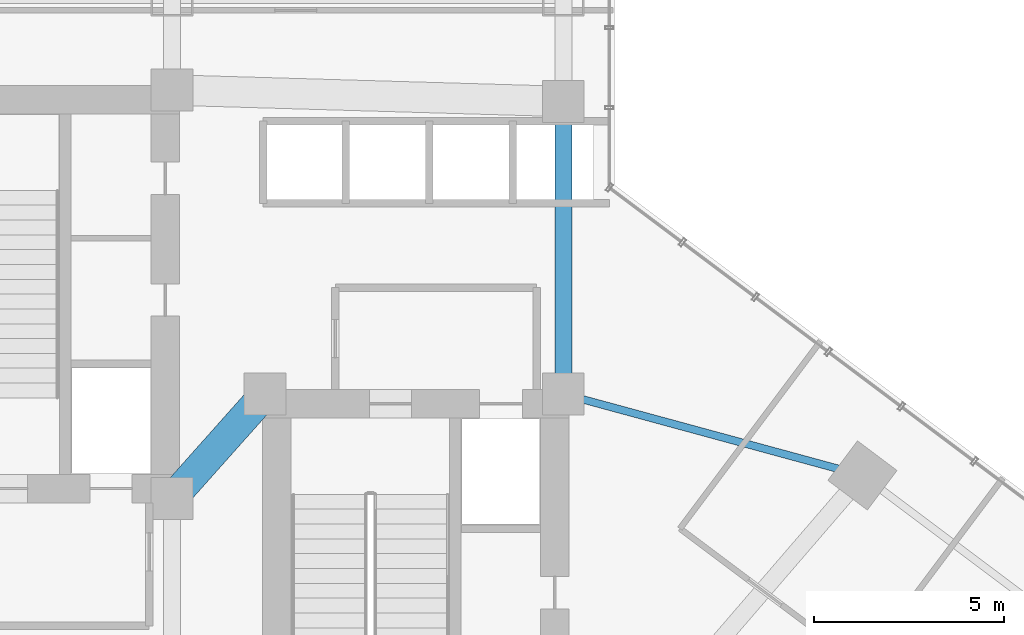
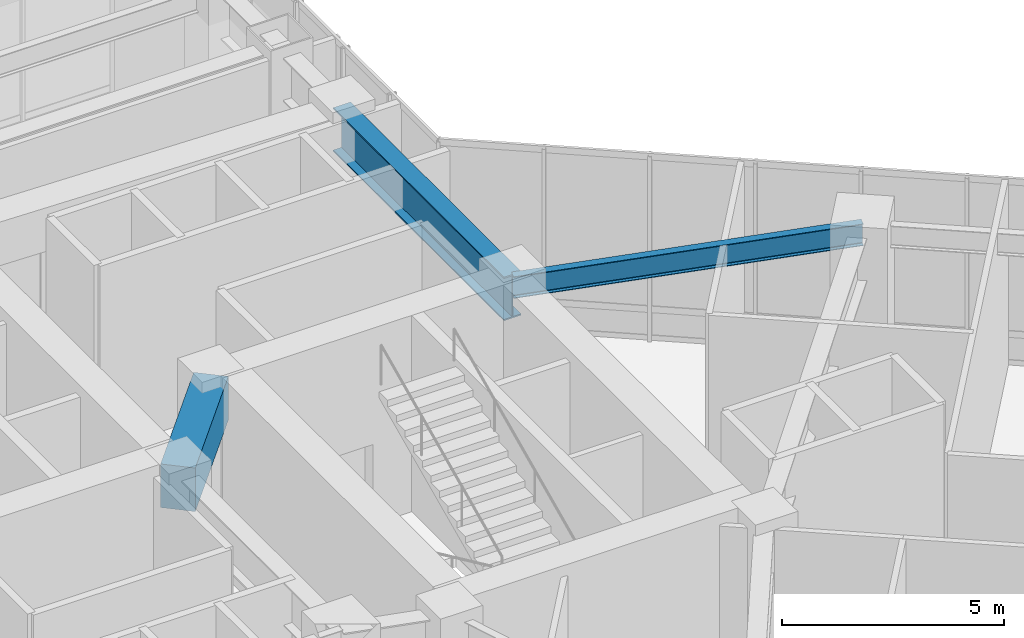
# One storey, part 19 of 35: 3 beams.
"""IFC4 building model written with IfcOpenShell, lengths in metres."""

from ifc_helpers import new_model, si_unit, direction, frame, origin, origin_2d, place, context, subcontext, project, spatial, rectangle, i_section, extrude, material, material_profile, profile_set, type_object, element, save


model = new_model("IFC4")

# Units and contexts
model_context = context("Model", 3, precision=1e-05, world=origin(), true_north=direction((0.0, 1.0)))
body_context = subcontext(model_context, "Body", "Model", "MODEL_VIEW")
ifc_project = project(units=[si_unit("LENGTHUNIT", "METRE"), si_unit("AREAUNIT", "SQUARE_METRE"), si_unit("VOLUMEUNIT", "CUBIC_METRE"), si_unit("PLANEANGLEUNIT", "RADIAN"), si_unit("MASSUNIT", "GRAM", prefix="KILO")], contexts=[model_context])

# Site, building, storey
site_placement = place(None, origin())
site = spatial("IfcSite", under=ifc_project, at=site_placement, CompositionType="ELEMENT")
building_placement = place(site_placement, origin())
building = spatial("IfcBuilding", under=site, at=building_placement, Name="Hatsunagi Terrace Concourse", CompositionType="ELEMENT")
storey_placement = place(building_placement, frame((0.0, 0.0, 5.39990234375)))
storey = spatial("IfcBuildingStorey", under=building, at=storey_placement, Name="L02", CompositionType="ELEMENT", Elevation=5.39990234375)

# Beams
ifc_material_1 = material(Name="Concrete Fc60", Category="concrete")
ifc_material_profile_1 = material_profile(ifc_material_1, rectangle(XDim=0.800048828125, YDim=1.199951171875, at=origin_2d()), Name="RC-800x1200")
ifc_profile_set_1 = profile_set([ifc_material_profile_1], Name="Concrete Fc60")
beam_type_1 = type_object("IfcBeamType", Name="CoreCouplingBeam_RC_800x1200", PredefinedType="BEAM", material=ifc_profile_set_1)
beam_1_placement = place(storey_placement, frame((33.35009765625, 32.550048828125, 4.5), z_axis=(0.665198651008, 0.746666427997, 0.0), x_axis=(-0.746666427997, 0.665198651008, 0.0)))
element("IfcBeam", 1, at=beam_1_placement, inside=storey, type_object=beam_type_1, Name="Beam CB-01 CB-L02-1", PredefinedType="BEAM", context=body_context, shape_type="SweptSolid", body=[
    extrude(rectangle(XDim=0.800048828125, YDim=1.199951171875, at=origin_2d()), origin(), (0.0, 0.0, 1.0), 3.68310546875),
])
ifc_material_2 = material(Name="Steel SN490B", Category="steel")
ifc_material_profile_2 = material_profile(ifc_material_2, i_section(OverallWidth=0.199951171875, OverallDepth=0.60009765625, WebThickness=0.010986328125, FlangeThickness=0.01708984375, FilletRadius=0.01806640625, at=origin_2d()), Name="H-600x200x11x17")
ifc_profile_set_2 = profile_set([ifc_material_profile_2], Name="Steel SN490B")
beam_type_2 = type_object("IfcBeamType", Name="PerimeterSpandrel_H_600x200", PredefinedType="SPANDREL", material=ifc_profile_set_2)
beam_2_placement = place(storey_placement, frame((43.64990234375, 35.300048828125, 4.800048828125), z_axis=(0.964958359286, -0.262403057994, 0.0), x_axis=(0.262403057994, 0.964958359286, 0.0)))
element("IfcBeam", 2, at=beam_2_placement, inside=storey, type_object=beam_type_2, Name="Beam SP-01 BM-L02-SE-NE0", PredefinedType="SPANDREL", context=body_context, shape_type="SweptSolid", body=[
    extrude(i_section(OverallWidth=0.199951171875, OverallDepth=0.60009765625, WebThickness=0.010986328125, FlangeThickness=0.01708984375, FilletRadius=0.01806640625, at=origin_2d()), origin(), (0.0, 0.0, 1.0), 8.156005859375),
])
ifc_material_3 = material(Name="Steel SN490B", Category="steel")
ifc_material_profile_3 = material_profile(ifc_material_3, i_section(OverallWidth=0.449951171875, OverallDepth=1.199951171875, WebThickness=0.02490234375, FlangeThickness=0.035888671875, at=origin_2d()), Name="BH-1200x450x25x36")
ifc_profile_set_3 = profile_set([ifc_material_profile_3], Name="Steel SN490B")
beam_type_3 = type_object("IfcBeamType", Name="PodiumHallGirder_BH_1200x450x25x36", PredefinedType="BEAM", material=ifc_profile_set_3)
beam_3_placement = place(storey_placement, frame((43.64990234375, 35.300048828125, 4.5), z_axis=(0.0, 1.0, 0.0), x_axis=(-1.0, 0.0, 0.0)))
element("IfcBeam", 3, at=beam_3_placement, inside=storey, type_object=beam_type_3, Name="Beam G-01 BM-L02-CBK3", PredefinedType="BEAM", context=body_context, shape_type="SweptSolid", body=[
    extrude(i_section(OverallWidth=0.449951171875, OverallDepth=1.199951171875, WebThickness=0.02490234375, FlangeThickness=0.035888671875, at=origin_2d()), origin(), (0.0, 0.0, 1.0), 7.699951171875),
])

save(model, "model.ifc")
